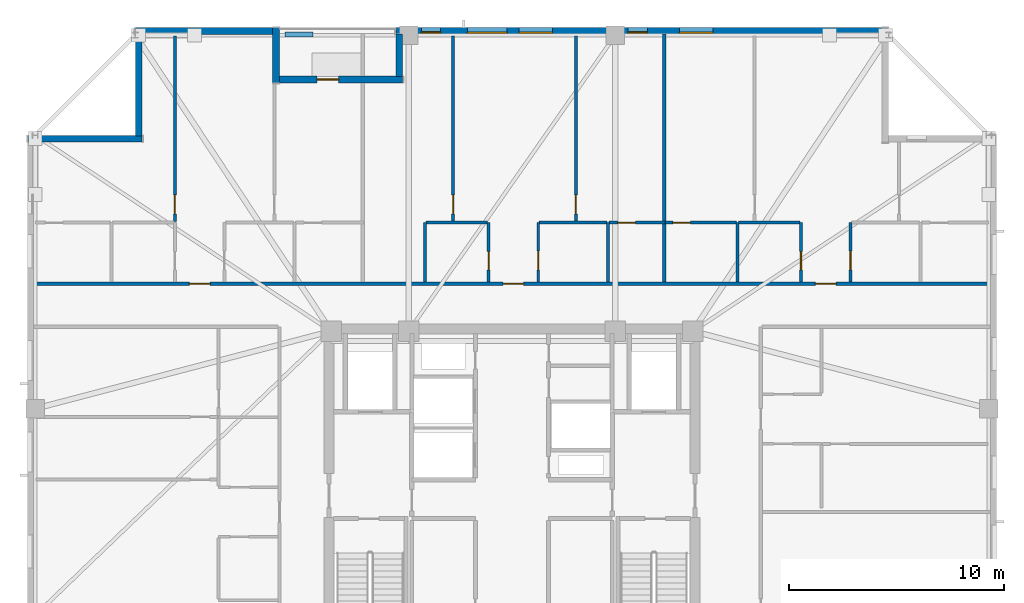
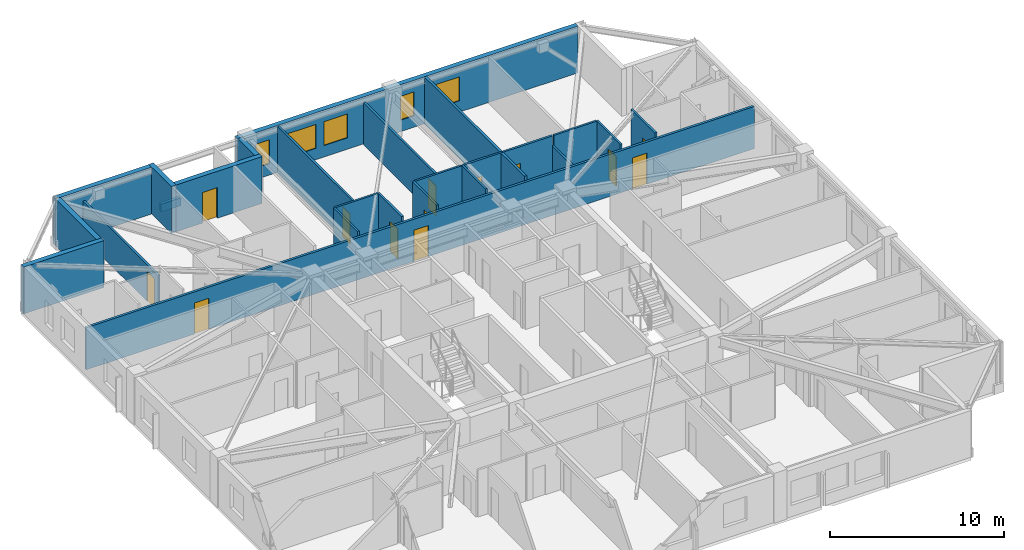
# One storey, part 11 of 17: 25 walls, 13 doors, 5 windows, 18 openings.
"""IFC4 building model written with IfcOpenShell, lengths in metres."""

from ifc_helpers import new_model, si_unit, direction, frame, frame_2d, origin, place, context, subcontext, project, spatial, rectangle, extrude, material, layer, layer_set, type_object, element, fill, save


model = new_model("IFC4")

# Units and contexts
model_context = context("Model", 3, precision=1e-05, world=origin(), true_north=direction((0.0, 1.0)))
body_context = subcontext(model_context, "Body", "Model", "MODEL_VIEW")
ifc_project = project(units=[si_unit("LENGTHUNIT", "METRE"), si_unit("AREAUNIT", "SQUARE_METRE"), si_unit("VOLUMEUNIT", "CUBIC_METRE"), si_unit("PLANEANGLEUNIT", "RADIAN"), si_unit("MASSUNIT", "GRAM", prefix="KILO")], contexts=[model_context])

# Site, building, storey
site_placement = place(None, origin())
site = spatial("IfcSite", under=ifc_project, at=site_placement, CompositionType="ELEMENT")
building_placement = place(site_placement, origin())
building = spatial("IfcBuilding", under=site, at=building_placement, Name="Cairnveth Concourse Tower", CompositionType="ELEMENT")
storey_placement = place(building_placement, frame((0.0, 0.0, 223.5)))
storey = spatial("IfcBuildingStorey", under=building, at=storey_placement, Name="L61", CompositionType="ELEMENT", Elevation=223.5)

# Wall, openings, doors
ifc_material_1 = material(Name="Gypsum Plasterboard Partition", Category="gypsum")
ifc_layer_1 = layer(ifc_material_1, 0.159912109375)
ifc_layer_set_1 = layer_set([ifc_layer_1], Name="Gypsum Plasterboard Partition")
wall_type_1 = type_object("IfcWallType", Name="ACOUSTIC PARTY WALL 180", PredefinedType="PARTITIONING", material=ifc_layer_set_1)
wall_1_placement = place(storey_placement, frame((29.804931640625, 49.612548828125, 0.0), z_axis=(0.0, 0.0, 1.0), x_axis=(1.0, 0.0, 0.0)))
wall_1 = element("IfcWall", 1, at=wall_1_placement, inside=storey, type_object=wall_type_1, Name="Interior Wall IW-L61-035", PredefinedType="PARTITIONING", context=body_context, shape_type="SweptSolid", body=[
    extrude(rectangle(XDim=44.39013671875, YDim=0.159912109375, at=frame_2d((22.195068359375, 0.0))), origin(), (0.0, 0.0, 1.0), 2.9580078125),
])
opening_1_placement = place(wall_1_placement, frame((7.206298828125, 0.0, 0.0)))
opening_1 = element("IfcOpeningElement", 2, at=opening_1_placement, cuts=wall_1, Name="Opening ID10", PredefinedType="OPENING", context=body_context, shape_type="SweptSolid", body=[
    extrude(rectangle(XDim=0.9599609375, YDim=2.179931640625, at=frame_2d((0.47998046875, 1.08984375))), frame((0.0, 0.08984375, 0.0), z_axis=(0.0, -1.0, 0.0), x_axis=(1.0, 0.0, 0.0)), (0.0, 0.0, 1.0), 0.179931640625),
])
opening_2_placement = place(wall_1_placement, frame((21.780029296875, 0.0, 0.0)))
opening_2 = element("IfcOpeningElement", 3, at=opening_2_placement, cuts=wall_1, Name="Opening ID10", PredefinedType="OPENING", context=body_context, shape_type="SweptSolid", body=[
    extrude(rectangle(XDim=0.9599609375, YDim=2.179931640625, at=frame_2d((0.47998046875, 1.08984375))), frame((0.0, 0.08984375, 0.0), z_axis=(0.0, -1.0, 0.0), x_axis=(1.0, 0.0, 0.0)), (0.0, 0.0, 1.0), 0.179931640625),
])
opening_3_placement = place(wall_1_placement, frame((36.288818359375, 0.0, 0.0)))
opening_3 = element("IfcOpeningElement", 4, at=opening_3_placement, cuts=wall_1, Name="Opening ID10", PredefinedType="OPENING", context=body_context, shape_type="SweptSolid", body=[
    extrude(rectangle(XDim=0.9599609375, YDim=2.179931640625, at=frame_2d((0.47998046875, 1.08984375))), frame((0.0, 0.08984375, 0.0), z_axis=(0.0, -1.0, 0.0), x_axis=(1.0, 0.0, 0.0)), (0.0, 0.0, 1.0), 0.179931640625),
])
ifc_material_2 = material(Name="Solid Core Hardwood Timber Leaf", Category="wood")
door_type_1 = type_object("IfcDoorType", Name="FLAT ENTRANCE DOOR 960X2150", OperationType="NOTDEFINED", PredefinedType="DOOR", material=ifc_material_2)
door_1_placement = place(opening_1_placement, origin())
door_1 = element("IfcDoor", 5, at=door_1_placement, inside=storey, type_object=door_type_1, Name="Apartment L61N1 Entrance Door", OperationType="SINGLE_SWING_LEFT", OverallHeight=2.179931640625, OverallWidth=0.9599609375, PredefinedType="DOOR", context=body_context, shape_type="SweptSolid", body=[
    extrude(rectangle(XDim=0.9599609375, YDim=2.179931640625, at=frame_2d((0.47998046875, 1.08984375))), frame((0.0, 0.02490234375, 0.0), z_axis=(0.0, -1.0, 0.0), x_axis=(1.0, 0.0, 0.0)), (0.0, 0.0, 1.0), 0.050048828125),
])
fill(opening_1, door_1)
door_2_placement = place(opening_2_placement, origin())
door_2 = element("IfcDoor", 6, at=door_2_placement, inside=storey, type_object=door_type_1, Name="Apartment L61N2 Entrance Door", OperationType="SINGLE_SWING_LEFT", OverallHeight=2.179931640625, OverallWidth=0.9599609375, PredefinedType="DOOR", context=body_context, shape_type="SweptSolid", body=[
    extrude(rectangle(XDim=0.9599609375, YDim=2.179931640625, at=frame_2d((0.47998046875, 1.08984375))), frame((0.0, 0.02490234375, 0.0), z_axis=(0.0, -1.0, 0.0), x_axis=(1.0, 0.0, 0.0)), (0.0, 0.0, 1.0), 0.050048828125),
])
fill(opening_2, door_2)
door_3_placement = place(opening_3_placement, origin())
door_3 = element("IfcDoor", 7, at=door_3_placement, inside=storey, type_object=door_type_1, Name="Apartment L61N3 Entrance Door", OperationType="SINGLE_SWING_RIGHT", OverallHeight=2.179931640625, OverallWidth=0.9599609375, PredefinedType="DOOR", context=body_context, shape_type="SweptSolid", body=[
    extrude(rectangle(XDim=0.9599609375, YDim=2.179931640625, at=frame_2d((0.47998046875, 1.08984375))), frame((0.0, 0.02490234375, 0.0), z_axis=(0.0, -1.0, 0.0), x_axis=(1.0, 0.0, 0.0)), (0.0, 0.0, 1.0), 0.050048828125),
])
fill(opening_3, door_3)

# Wall
wall_2_placement = place(storey_placement, frame((59.0673828125, 49.677490234375, 0.0), z_axis=(0.0, 0.0, 1.0), x_axis=(0.0, 1.0, 0.0)))
element("IfcWall", 8, at=wall_2_placement, inside=storey, type_object=wall_type_1, Name="Interior Wall IW-L61-085", PredefinedType="PARTITIONING", context=body_context, shape_type="SweptSolid", body=[
    extrude(rectangle(XDim=11.517578125, YDim=0.159912109375, at=frame_2d((5.7587890625, 0.0))), origin(), (0.0, 0.0, 1.0), 3.2900390625),
])

# Wall, opening, door
ifc_layer_2 = layer(ifc_material_1, 0.139892578125)
ifc_layer_set_2 = layer_set([ifc_layer_2], Name="Gypsum Plasterboard Partition")
wall_type_2 = type_object("IfcWallType", Name="GYPSUM STUD PARTITION 140", PredefinedType="PARTITIONING", material=ifc_layer_set_2)
wall_3_placement = place(storey_placement, frame((36.34130859375, 52.492431640625, 0.0), z_axis=(0.0, 0.0, 1.0), x_axis=(0.0, 1.0, 0.0)))
wall_3 = element("IfcWall", 9, at=wall_3_placement, inside=storey, type_object=wall_type_2, Name="Interior Wall IW-L61-071", PredefinedType="PARTITIONING", context=body_context, shape_type="SweptSolid", body=[
    extrude(rectangle(XDim=8.627685546875, YDim=0.139892578125, at=frame_2d((4.31396484375, 0.0))), origin(), (0.0, 0.0, 1.0), 2.572998046875),
])
opening_4_placement = place(wall_3_placement, frame((0.360107421875, 0.0, 0.0)))
opening_4 = element("IfcOpeningElement", 10, at=opening_4_placement, cuts=wall_3, Name="Opening ID18", PredefinedType="OPENING", context=body_context, shape_type="SweptSolid", body=[
    extrude(rectangle(XDim=0.8798828125, YDim=2.10009765625, at=frame_2d((0.43994140625, 1.050048828125))), frame((0.0, 0.079833984375, 0.0), z_axis=(0.0, -1.0, 0.0), x_axis=(1.0, 0.0, 0.0)), (0.0, 0.0, 1.0), 0.159912109375),
])
door_type_2 = type_object("IfcDoorType", Name="INTERIOR SINGLE DOOR 880X2100", OperationType="NOTDEFINED", PredefinedType="DOOR", material=ifc_material_2)
door_4_placement = place(opening_4_placement, origin())
door_4 = element("IfcDoor", 11, at=door_4_placement, inside=storey, type_object=door_type_2, Name="L61N1 Master Bedroom Door", OperationType="SINGLE_SWING_RIGHT", OverallHeight=2.10009765625, OverallWidth=0.8798828125, PredefinedType="DOOR", context=body_context, shape_type="SweptSolid", body=[
    extrude(rectangle(XDim=0.8798828125, YDim=2.10009765625, at=frame_2d((0.43994140625, 1.050048828125))), frame((0.0, 0.02490234375, 0.0), z_axis=(0.0, -1.0, 0.0), x_axis=(1.0, 0.0, 0.0)), (0.0, 0.0, 1.0), 0.050048828125),
])
fill(opening_4, door_4)

wall_4_placement = place(storey_placement, frame((49.262451171875, 52.492431640625, 0.0), z_axis=(0.0, 0.0, 1.0), x_axis=(0.0, 1.0, 0.0)))
wall_4 = element("IfcWall", 12, at=wall_4_placement, inside=storey, type_object=wall_type_2, Name="Interior Wall IW-L61-082", PredefinedType="PARTITIONING", context=body_context, shape_type="SweptSolid", body=[
    extrude(rectangle(XDim=8.627685546875, YDim=0.139892578125, at=frame_2d((4.31396484375, 0.0))), origin(), (0.0, 0.0, 1.0), 3.2900390625),
])
opening_5_placement = place(wall_4_placement, frame((0.360107421875, 0.0, 0.0)))
opening_5 = element("IfcOpeningElement", 13, at=opening_5_placement, cuts=wall_4, Name="Opening ID18", PredefinedType="OPENING", context=body_context, shape_type="SweptSolid", body=[
    extrude(rectangle(XDim=0.8798828125, YDim=2.10009765625, at=frame_2d((0.43994140625, 1.050048828125))), frame((0.0, 0.079833984375, 0.0), z_axis=(0.0, -1.0, 0.0), x_axis=(1.0, 0.0, 0.0)), (0.0, 0.0, 1.0), 0.159912109375),
])
door_5_placement = place(opening_5_placement, origin())
door_5 = element("IfcDoor", 14, at=door_5_placement, inside=storey, type_object=door_type_2, Name="L61N2 Master Bedroom Door", OperationType="SINGLE_SWING_RIGHT", OverallHeight=2.10009765625, OverallWidth=0.8798828125, PredefinedType="DOOR", context=body_context, shape_type="SweptSolid", body=[
    extrude(rectangle(XDim=0.8798828125, YDim=2.10009765625, at=frame_2d((0.43994140625, 1.050048828125))), frame((0.0, 0.02490234375, 0.0), z_axis=(0.0, -1.0, 0.0), x_axis=(1.0, 0.0, 0.0)), (0.0, 0.0, 1.0), 0.050048828125),
])
fill(opening_5, door_5)

wall_5_placement = place(storey_placement, frame((54.967529296875, 52.492431640625, 0.0), z_axis=(0.0, 0.0, 1.0), x_axis=(0.0, 1.0, 0.0)))
wall_5 = element("IfcWall", 15, at=wall_5_placement, inside=storey, type_object=wall_type_2, Name="Interior Wall IW-L61-083", PredefinedType="PARTITIONING", context=body_context, shape_type="SweptSolid", body=[
    extrude(rectangle(XDim=8.627685546875, YDim=0.139892578125, at=frame_2d((4.31396484375, 0.0))), origin(), (0.0, 0.0, 1.0), 2.9580078125),
])
opening_6_placement = place(wall_5_placement, frame((0.360107421875, 0.0, 0.0)))
opening_6 = element("IfcOpeningElement", 16, at=opening_6_placement, cuts=wall_5, Name="Opening ID18", PredefinedType="OPENING", context=body_context, shape_type="SweptSolid", body=[
    extrude(rectangle(XDim=0.8798828125, YDim=2.10009765625, at=frame_2d((0.43994140625, 1.050048828125))), frame((0.0, 0.079833984375, 0.0), z_axis=(0.0, -1.0, 0.0), x_axis=(1.0, 0.0, 0.0)), (0.0, 0.0, 1.0), 0.159912109375),
])
door_6_placement = place(opening_6_placement, origin())
door_6 = element("IfcDoor", 17, at=door_6_placement, inside=storey, type_object=door_type_2, Name="L61N2 Bedroom 2 Door", OperationType="SINGLE_SWING_RIGHT", OverallHeight=2.10009765625, OverallWidth=0.8798828125, PredefinedType="DOOR", context=body_context, shape_type="SweptSolid", body=[
    extrude(rectangle(XDim=0.8798828125, YDim=2.10009765625, at=frame_2d((0.43994140625, 1.050048828125))), frame((0.0, 0.02490234375, 0.0), z_axis=(0.0, -1.0, 0.0), x_axis=(1.0, 0.0, 0.0)), (0.0, 0.0, 1.0), 0.050048828125),
])
fill(opening_6, door_6)

wall_6_placement = place(storey_placement, frame((56.514892578125, 52.4423828125, 0.0), z_axis=(0.0, 0.0, 1.0), x_axis=(1.0, 0.0, 0.0)))
wall_6 = element("IfcWall", 18, at=wall_6_placement, inside=storey, type_object=wall_type_2, Name="Interior Wall IW-L61-084", PredefinedType="PARTITIONING", context=body_context, shape_type="SweptSolid", body=[
    extrude(rectangle(XDim=2.6025390625, YDim=0.139892578125, at=frame_2d((1.30126953125, 0.0))), origin(), (0.0, 0.0, 1.0), 3.2900390625),
])
opening_7_placement = place(wall_6_placement, frame((0.39990234375, 0.0, 0.0)))
opening_7 = element("IfcOpeningElement", 19, at=opening_7_placement, cuts=wall_6, Name="Opening ID22", PredefinedType="OPENING", context=body_context, shape_type="SweptSolid", body=[
    extrude(rectangle(XDim=0.820068359375, YDim=2.10009765625, at=frame_2d((0.41015625, 1.050048828125))), frame((0.0, 0.079833984375, 0.0), z_axis=(0.0, -1.0, 0.0), x_axis=(1.0, 0.0, 0.0)), (0.0, 0.0, 1.0), 0.159912109375),
])
door_type_3 = type_object("IfcDoorType", Name="INTERIOR WC DOOR 820X2100", OperationType="NOTDEFINED", PredefinedType="DOOR", material=ifc_material_2)
door_7_placement = place(opening_7_placement, origin())
door_7 = element("IfcDoor", 20, at=door_7_placement, inside=storey, type_object=door_type_3, Name="L61N2 Utility Door", OperationType="SINGLE_SWING_LEFT", OverallHeight=2.10009765625, OverallWidth=0.820068359375, PredefinedType="DOOR", context=body_context, shape_type="SweptSolid", body=[
    extrude(rectangle(XDim=0.820068359375, YDim=2.10009765625, at=frame_2d((0.41015625, 1.050048828125))), frame((0.0, 0.02490234375, 0.0), z_axis=(0.0, -1.0, 0.0), x_axis=(1.0, 0.0, 0.0)), (0.0, 0.0, 1.0), 0.050048828125),
])
fill(opening_7, door_7)

wall_7_placement = place(storey_placement, frame((59.132568359375, 52.4423828125, 0.0), z_axis=(0.0, 0.0, 1.0), x_axis=(1.0, 0.0, 0.0)))
wall_7 = element("IfcWall", 21, at=wall_7_placement, inside=storey, type_object=wall_type_2, Name="Interior Wall IW-L61-093", PredefinedType="PARTITIONING", context=body_context, shape_type="SweptSolid", body=[
    extrude(rectangle(XDim=3.291015625, YDim=0.139892578125, at=frame_2d((1.6455078125, 0.0))), origin(), (0.0, 0.0, 1.0), 3.2900390625),
])
opening_8_placement = place(wall_7_placement, frame((0.3349609375, 0.0, 0.0)))
opening_8 = element("IfcOpeningElement", 22, at=opening_8_placement, cuts=wall_7, Name="Opening ID22", PredefinedType="OPENING", context=body_context, shape_type="SweptSolid", body=[
    extrude(rectangle(XDim=0.820068359375, YDim=2.10009765625, at=frame_2d((0.41015625, 1.050048828125))), frame((0.0, 0.079833984375, 0.0), z_axis=(0.0, -1.0, 0.0), x_axis=(1.0, 0.0, 0.0)), (0.0, 0.0, 1.0), 0.159912109375),
])
door_8_placement = place(opening_8_placement, origin())
door_8 = element("IfcDoor", 23, at=door_8_placement, inside=storey, type_object=door_type_3, Name="L61N3 Dressing Door", OperationType="SINGLE_SWING_RIGHT", OverallHeight=2.10009765625, OverallWidth=0.820068359375, PredefinedType="DOOR", context=body_context, shape_type="SweptSolid", body=[
    extrude(rectangle(XDim=0.820068359375, YDim=2.10009765625, at=frame_2d((0.41015625, 1.050048828125))), frame((0.0, 0.02490234375, 0.0), z_axis=(0.0, -1.0, 0.0), x_axis=(1.0, 0.0, 0.0)), (0.0, 0.0, 1.0), 0.050048828125),
])
fill(opening_8, door_8)

# Walls
ifc_material_3 = material(Name="Dressed Melbourne Bluestone Cladding", Category="masonry")
ifc_layer_3 = layer(ifc_material_3, 0.219970703125)
ifc_layer_set_3 = layer_set([ifc_layer_3], Name="Dressed Melbourne Bluestone Cladding")
wall_type_3 = type_object("IfcWallType", Name="TERRACE PLANTER CURB WALL 220", PredefinedType="PARAPET", material=ifc_layer_set_3)
wall_8_placement = place(storey_placement, frame((41.449951171875, 61.179931640625, 0.0), z_axis=(0.0, 0.0, 1.0), x_axis=(1.0, 0.0, 0.0)))
element("IfcWall", 24, at=wall_8_placement, inside=storey, type_object=wall_type_3, Name="Exterior Wall PLNT-L61-TERR", PredefinedType="PARAPET", context=body_context, shape_type="SweptSolid", body=[
    extrude(rectangle(XDim=1.300048828125, YDim=0.219970703125, at=frame_2d((0.64990234375, 0.0))), origin(), (0.0, 0.0, 1.0), 0.550048828125),
])
ifc_layer_4 = layer(ifc_material_1, 0.1298828125)
ifc_layer_set_4 = layer_set([ifc_layer_4], Name="Gypsum Plasterboard Partition")
wall_type_4 = type_object("IfcWallType", Name="WET AREA PARTITION 140", PredefinedType="PLUMBINGWALL", material=ifc_layer_set_4)
wall_9_placement = place(storey_placement, frame((47.965087890625, 49.6923828125, 0.0), z_axis=(0.0, 0.0, 1.0), x_axis=(0.0, 1.0, 0.0)))
element("IfcWall", 25, at=wall_9_placement, inside=storey, type_object=wall_type_4, Name="Interior Wall IW-L61-076", PredefinedType="PLUMBINGWALL", context=body_context, shape_type="SweptSolid", body=[
    extrude(rectangle(XDim=2.75, YDim=0.1298828125, at=frame_2d((1.375, 0.0))), origin(), (0.0, 0.0, 1.0), 3.2900390625),
])

# Wall, opening, door
wall_10_placement = place(storey_placement, frame((50.9150390625, 49.6923828125, 0.0), z_axis=(0.0, 0.0, 1.0), x_axis=(0.0, 1.0, 0.0)))
wall_10 = element("IfcWall", 26, at=wall_10_placement, inside=storey, type_object=wall_type_4, Name="Interior Wall IW-L61-077", PredefinedType="PLUMBINGWALL", context=body_context, shape_type="SweptSolid", body=[
    extrude(rectangle(XDim=2.75, YDim=0.1298828125, at=frame_2d((1.375, 0.0))), origin(), (0.0, 0.0, 1.0), 3.2900390625),
])
opening_9_placement = place(wall_10_placement, frame((0.550048828125, 0.0, 0.0)))
opening_9 = element("IfcOpeningElement", 27, at=opening_9_placement, cuts=wall_10, Name="Opening ID21", PredefinedType="OPENING", context=body_context, shape_type="SweptSolid", body=[
    extrude(rectangle(XDim=0.85009765625, YDim=2.080078125, at=frame_2d((0.425048828125, 1.0400390625))), frame((0.0, 0.074951171875, 0.0), z_axis=(0.0, -1.0, 0.0), x_axis=(1.0, 0.0, 0.0)), (0.0, 0.0, 1.0), 0.14990234375),
])
door_type_4 = type_object("IfcDoorType", Name="INTERIOR WC DOOR 850X2100", OperationType="NOTDEFINED", PredefinedType="DOOR", material=ifc_material_2)
door_9_placement = place(opening_9_placement, origin())
door_9 = element("IfcDoor", 28, at=door_9_placement, inside=storey, type_object=door_type_4, Name="L61N2 Bathroom Door", OperationType="SINGLE_SWING_RIGHT", OverallHeight=2.080078125, OverallWidth=0.85009765625, PredefinedType="DOOR", context=body_context, shape_type="SweptSolid", body=[
    extrude(rectangle(XDim=0.85009765625, YDim=2.080078125, at=frame_2d((0.425048828125, 1.0400390625))), frame((0.0, 0.02490234375, 0.0), z_axis=(0.0, -1.0, 0.0), x_axis=(1.0, 0.0, 0.0)), (0.0, 0.0, 1.0), 0.050048828125),
])
fill(opening_9, door_9)

# Walls
wall_11_placement = place(storey_placement, frame((48.014892578125, 52.4423828125, 0.0), z_axis=(0.0, 0.0, 1.0), x_axis=(1.0, 0.0, 0.0)))
element("IfcWall", 29, at=wall_11_placement, inside=storey, type_object=wall_type_4, Name="Interior Wall IW-L61-078", PredefinedType="PLUMBINGWALL", context=body_context, shape_type="SweptSolid", body=[
    extrude(rectangle(XDim=2.85009765625, YDim=0.1298828125, at=frame_2d((1.425048828125, 0.0))), origin(), (0.0, 0.0, 1.0), 3.2900390625),
])
wall_12_placement = place(storey_placement, frame((56.465087890625, 49.6923828125, 0.0), z_axis=(0.0, 0.0, 1.0), x_axis=(0.0, 1.0, 0.0)))
element("IfcWall", 30, at=wall_12_placement, inside=storey, type_object=wall_type_4, Name="Interior Wall IW-L61-079", PredefinedType="PLUMBINGWALL", context=body_context, shape_type="SweptSolid", body=[
    extrude(rectangle(XDim=2.75, YDim=0.1298828125, at=frame_2d((1.375, 0.0))), origin(), (0.0, 0.0, 1.0), 3.2900390625),
])

# Wall, opening, door
wall_13_placement = place(storey_placement, frame((53.215087890625, 49.6923828125, 0.0), z_axis=(0.0, 0.0, 1.0), x_axis=(0.0, 1.0, 0.0)))
wall_13 = element("IfcWall", 31, at=wall_13_placement, inside=storey, type_object=wall_type_4, Name="Interior Wall IW-L61-080", PredefinedType="PLUMBINGWALL", context=body_context, shape_type="SweptSolid", body=[
    extrude(rectangle(XDim=2.75, YDim=0.1298828125, at=frame_2d((1.375, 0.0))), origin(), (0.0, 0.0, 1.0), 3.2900390625),
])
opening_10_placement = place(wall_13_placement, frame((0.550048828125, 0.0, 0.0)))
opening_10 = element("IfcOpeningElement", 32, at=opening_10_placement, cuts=wall_13, Name="Opening ID18", PredefinedType="OPENING", context=body_context, shape_type="SweptSolid", body=[
    extrude(rectangle(XDim=0.8798828125, YDim=2.10009765625, at=frame_2d((0.43994140625, 1.050048828125))), frame((0.0, 0.074951171875, 0.0), z_axis=(0.0, -1.0, 0.0), x_axis=(1.0, 0.0, 0.0)), (0.0, 0.0, 1.0), 0.14990234375),
])
door_10_placement = place(opening_10_placement, origin())
door_10 = element("IfcDoor", 33, at=door_10_placement, inside=storey, type_object=door_type_2, Name="L61N2 Kitchen Door", OperationType="SINGLE_SWING_LEFT", OverallHeight=2.10009765625, OverallWidth=0.8798828125, PredefinedType="DOOR", context=body_context, shape_type="SweptSolid", body=[
    extrude(rectangle(XDim=0.8798828125, YDim=2.10009765625, at=frame_2d((0.43994140625, 1.050048828125))), frame((0.0, 0.02490234375, 0.0), z_axis=(0.0, -1.0, 0.0), x_axis=(1.0, 0.0, 0.0)), (0.0, 0.0, 1.0), 0.050048828125),
])
fill(opening_10, door_10)

# Walls
wall_14_placement = place(storey_placement, frame((53.264892578125, 52.4423828125, 0.0), z_axis=(0.0, 0.0, 1.0), x_axis=(1.0, 0.0, 0.0)))
element("IfcWall", 34, at=wall_14_placement, inside=storey, type_object=wall_type_4, Name="Interior Wall IW-L61-081", PredefinedType="PLUMBINGWALL", context=body_context, shape_type="SweptSolid", body=[
    extrude(rectangle(XDim=3.150146484375, YDim=0.1298828125, at=frame_2d((1.5751953125, 0.0))), origin(), (0.0, 0.0, 1.0), 3.2900390625),
])
wall_15_placement = place(storey_placement, frame((62.4736328125, 49.6923828125, 0.0), z_axis=(0.0, 0.0, 1.0), x_axis=(0.0, 1.0, 0.0)))
element("IfcWall", 35, at=wall_15_placement, inside=storey, type_object=wall_type_4, Name="Interior Wall IW-L61-086", PredefinedType="PLUMBINGWALL", context=body_context, shape_type="SweptSolid", body=[
    extrude(rectangle(XDim=2.75, YDim=0.1298828125, at=frame_2d((1.375, 0.0))), origin(), (0.0, 0.0, 1.0), 2.572998046875),
])

# Wall, opening, door
wall_16_placement = place(storey_placement, frame((65.423583984375, 49.6923828125, 0.0), z_axis=(0.0, 0.0, 1.0), x_axis=(0.0, 1.0, 0.0)))
wall_16 = element("IfcWall", 36, at=wall_16_placement, inside=storey, type_object=wall_type_4, Name="Interior Wall IW-L61-087", PredefinedType="PLUMBINGWALL", context=body_context, shape_type="SweptSolid", body=[
    extrude(rectangle(XDim=2.75, YDim=0.1298828125, at=frame_2d((1.375, 0.0))), origin(), (0.0, 0.0, 1.0), 3.2900390625),
])
opening_11_placement = place(wall_16_placement, frame((0.550048828125, 0.0, 0.0)))
opening_11 = element("IfcOpeningElement", 37, at=opening_11_placement, cuts=wall_16, Name="Opening ID21", PredefinedType="OPENING", context=body_context, shape_type="SweptSolid", body=[
    extrude(rectangle(XDim=0.85009765625, YDim=2.080078125, at=frame_2d((0.425048828125, 1.0400390625))), frame((0.0, 0.074951171875, 0.0), z_axis=(0.0, -1.0, 0.0), x_axis=(1.0, 0.0, 0.0)), (0.0, 0.0, 1.0), 0.14990234375),
])
door_11_placement = place(opening_11_placement, origin())
door_11 = element("IfcDoor", 38, at=door_11_placement, inside=storey, type_object=door_type_4, Name="L61N3 Bathroom Door", OperationType="SINGLE_SWING_RIGHT", OverallHeight=2.080078125, OverallWidth=0.85009765625, PredefinedType="DOOR", context=body_context, shape_type="SweptSolid", body=[
    extrude(rectangle(XDim=0.85009765625, YDim=2.080078125, at=frame_2d((0.425048828125, 1.0400390625))), frame((0.0, 0.02490234375, 0.0), z_axis=(0.0, -1.0, 0.0), x_axis=(1.0, 0.0, 0.0)), (0.0, 0.0, 1.0), 0.050048828125),
])
fill(opening_11, door_11)

# Wall
wall_17_placement = place(storey_placement, frame((62.523681640625, 52.4423828125, 0.0), z_axis=(0.0, 0.0, 1.0), x_axis=(1.0, 0.0, 0.0)))
element("IfcWall", 39, at=wall_17_placement, inside=storey, type_object=wall_type_4, Name="Interior Wall IW-L61-088", PredefinedType="PLUMBINGWALL", context=body_context, shape_type="SweptSolid", body=[
    extrude(rectangle(XDim=2.85009765625, YDim=0.1298828125, at=frame_2d((1.425048828125, 0.0))), origin(), (0.0, 0.0, 1.0), 3.2900390625),
])

# Wall, opening, door
wall_18_placement = place(storey_placement, frame((67.723876953125, 49.6923828125, 0.0), z_axis=(0.0, 0.0, 1.0), x_axis=(0.0, 1.0, 0.0)))
wall_18 = element("IfcWall", 40, at=wall_18_placement, inside=storey, type_object=wall_type_4, Name="Interior Wall IW-L61-090", PredefinedType="PLUMBINGWALL", context=body_context, shape_type="SweptSolid", body=[
    extrude(rectangle(XDim=2.75, YDim=0.1298828125, at=frame_2d((1.375, 0.0))), origin(), (0.0, 0.0, 1.0), 3.2900390625),
])
opening_12_placement = place(wall_18_placement, frame((0.550048828125, 0.0, 0.0)))
opening_12 = element("IfcOpeningElement", 41, at=opening_12_placement, cuts=wall_18, Name="Opening ID18", PredefinedType="OPENING", context=body_context, shape_type="SweptSolid", body=[
    extrude(rectangle(XDim=0.8798828125, YDim=2.10009765625, at=frame_2d((0.43994140625, 1.050048828125))), frame((0.0, 0.074951171875, 0.0), z_axis=(0.0, -1.0, 0.0), x_axis=(1.0, 0.0, 0.0)), (0.0, 0.0, 1.0), 0.14990234375),
])
door_12_placement = place(opening_12_placement, origin())
door_12 = element("IfcDoor", 42, at=door_12_placement, inside=storey, type_object=door_type_2, Name="L61N3 Kitchen Door", OperationType="SINGLE_SWING_LEFT", OverallHeight=2.10009765625, OverallWidth=0.8798828125, PredefinedType="DOOR", context=body_context, shape_type="SweptSolid", body=[
    extrude(rectangle(XDim=0.8798828125, YDim=2.10009765625, at=frame_2d((0.43994140625, 1.050048828125))), frame((0.0, 0.02490234375, 0.0), z_axis=(0.0, -1.0, 0.0), x_axis=(1.0, 0.0, 0.0)), (0.0, 0.0, 1.0), 0.050048828125),
])
fill(opening_12, door_12)

# Wall, openings, windows
ifc_material_4 = material(Name="Melbourne Buff Fired Clay Brick Masonry", Category="masonry")
ifc_layer_5 = layer(ifc_material_4, 0.320068359375)
ifc_layer_set_5 = layer_set([ifc_layer_5], Name="Melbourne Buff Fired Clay Brick Masonry")
wall_type_5 = type_object("IfcWallType", Name="ZONE 3 BRICK PIER SPANDREL WALL 320", PredefinedType="SOLIDWALL", material=ifc_layer_set_5)
wall_19_placement = place(storey_placement, frame((46.60009765625, 61.340087890625, 0.0), z_axis=(0.0, 0.0, 1.0), x_axis=(1.0, 0.0, 0.0)))
wall_19 = element("IfcWall", 43, at=wall_19_placement, inside=storey, type_object=wall_type_5, Name="Exterior Wall EW-L61-S00", PredefinedType="SOLIDWALL", context=body_context, shape_type="SweptSolid", body=[
    extrude(rectangle(XDim=22.601806640625, YDim=0.320068359375, at=frame_2d((11.30078125, 0.0))), origin(), (0.0, 0.0, 1.0), 3.2900390625),
])
opening_13_placement = place(wall_19_placement, frame((3.3251953125, 0.0, 0.800048828125)))
opening_13 = element("IfcOpeningElement", 44, at=opening_13_placement, cuts=wall_19, Name="Opening W08", PredefinedType="OPENING", context=body_context, shape_type="SweptSolid", body=[
    extrude(rectangle(XDim=1.85009765625, YDim=1.677978515625, at=frame_2d((0.925048828125, 0.8388671875))), frame((0.0, 0.169921875, 0.0), z_axis=(0.0, -1.0, 0.0), x_axis=(1.0, 0.0, 0.0)), (0.0, 0.0, 1.0), 0.340087890625),
])
opening_14_placement = place(wall_19_placement, frame((5.7255859375, 0.0, 0.800048828125)))
opening_14 = element("IfcOpeningElement", 45, at=opening_14_placement, cuts=wall_19, Name="Opening W07", PredefinedType="OPENING", context=body_context, shape_type="SweptSolid", body=[
    extrude(rectangle(XDim=1.550048828125, YDim=1.677978515625, at=frame_2d((0.77490234375, 0.8388671875))), frame((0.0, 0.169921875, 0.0), z_axis=(0.0, -1.0, 0.0), x_axis=(1.0, 0.0, 0.0)), (0.0, 0.0, 1.0), 0.340087890625),
])
opening_15_placement = place(wall_19_placement, frame((13.176513671875, 0.0, 0.800048828125)))
opening_15 = element("IfcOpeningElement", 46, at=opening_15_placement, cuts=wall_19, Name="Opening W07", PredefinedType="OPENING", context=body_context, shape_type="SweptSolid", body=[
    extrude(rectangle(XDim=1.550048828125, YDim=1.677978515625, at=frame_2d((0.77490234375, 0.8388671875))), frame((0.0, 0.169921875, 0.0), z_axis=(0.0, -1.0, 0.0), x_axis=(1.0, 0.0, 0.0)), (0.0, 0.0, 1.0), 0.340087890625),
])
opening_16_placement = place(wall_19_placement, frame((1.18994140625, 0.0, 0.800048828125)))
opening_16 = element("IfcOpeningElement", 47, at=opening_16_placement, cuts=wall_19, Name="Opening W13", PredefinedType="OPENING", context=body_context, shape_type="SweptSolid", body=[
    extrude(rectangle(XDim=0.89990234375, YDim=1.677978515625, at=frame_2d((0.449951171875, 0.8388671875))), frame((0.0, 0.169921875, 0.0), z_axis=(0.0, -1.0, 0.0), x_axis=(1.0, 0.0, 0.0)), (0.0, 0.0, 1.0), 0.340087890625),
])
opening_17_placement = place(wall_19_placement, frame((10.7900390625, 0.0, 0.800048828125)))
opening_17 = element("IfcOpeningElement", 48, at=opening_17_placement, cuts=wall_19, Name="Opening W13", PredefinedType="OPENING", context=body_context, shape_type="SweptSolid", body=[
    extrude(rectangle(XDim=0.89990234375, YDim=1.677978515625, at=frame_2d((0.449951171875, 0.8388671875))), frame((0.0, 0.169921875, 0.0), z_axis=(0.0, -1.0, 0.0), x_axis=(1.0, 0.0, 0.0)), (0.0, 0.0, 1.0), 0.340087890625),
])
ifc_material_5 = material(Name="Double Glazed Low-E Clear Glass", Category="glass")
window_type_1 = type_object("IfcWindowType", Name="DEEP-SET APARTMENT LIVING WINDOW 1850X1850", PartitioningType="DOUBLE_PANEL_VERTICAL", PredefinedType="WINDOW", material=ifc_material_5)
window_1_placement = place(opening_13_placement, origin())
window_1 = element("IfcWindow", 49, at=window_1_placement, inside=storey, type_object=window_type_1, Name="Gothic Lancet Window L61-0-1", OverallHeight=1.677978515625, OverallWidth=1.85009765625, PartitioningType="SINGLE_PANEL", PredefinedType="WINDOW", context=body_context, shape_type="SweptSolid", body=[
    extrude(rectangle(XDim=1.85009765625, YDim=1.677978515625, at=frame_2d((0.925048828125, 0.8388671875))), frame((0.0, -0.050048828125, 0.0), z_axis=(0.0, -1.0, 0.0), x_axis=(1.0, 0.0, 0.0)), (0.0, 0.0, 1.0), 0.06005859375),
])
fill(opening_13, window_1)
window_type_2 = type_object("IfcWindowType", Name="DEEP-SET APARTMENT WINDOW 1550X1800", PartitioningType="DOUBLE_PANEL_VERTICAL", PredefinedType="WINDOW", material=ifc_material_5)
window_2_placement = place(opening_14_placement, origin())
window_2 = element("IfcWindow", 50, at=window_2_placement, inside=storey, type_object=window_type_2, Name="Gothic Lancet Window L61-0-2", OverallHeight=1.677978515625, OverallWidth=1.550048828125, PartitioningType="SINGLE_PANEL", PredefinedType="WINDOW", context=body_context, shape_type="SweptSolid", body=[
    extrude(rectangle(XDim=1.550048828125, YDim=1.677978515625, at=frame_2d((0.77490234375, 0.8388671875))), frame((0.0, -0.050048828125, 0.0), z_axis=(0.0, -1.0, 0.0), x_axis=(1.0, 0.0, 0.0)), (0.0, 0.0, 1.0), 0.06005859375),
])
fill(opening_14, window_2)
window_3_placement = place(opening_15_placement, origin())
window_3 = element("IfcWindow", 51, at=window_3_placement, inside=storey, type_object=window_type_2, Name="Gothic Lancet Window L61-0-4", OverallHeight=1.677978515625, OverallWidth=1.550048828125, PartitioningType="SINGLE_PANEL", PredefinedType="WINDOW", context=body_context, shape_type="SweptSolid", body=[
    extrude(rectangle(XDim=1.550048828125, YDim=1.677978515625, at=frame_2d((0.77490234375, 0.8388671875))), frame((0.0, -0.050048828125, 0.0), z_axis=(0.0, -1.0, 0.0), x_axis=(1.0, 0.0, 0.0)), (0.0, 0.0, 1.0), 0.06005859375),
])
fill(opening_15, window_3)
window_type_3 = type_object("IfcWindowType", Name="DEEP-SET BEDROOM LANCET WINDOW 900X1750", PartitioningType="DOUBLE_PANEL_VERTICAL", PredefinedType="WINDOW", material=ifc_material_5)
window_4_placement = place(opening_16_placement, origin())
window_4 = element("IfcWindow", 52, at=window_4_placement, inside=storey, type_object=window_type_3, Name="Dwelling Lancet Window L61-DW4", OverallHeight=1.677978515625, OverallWidth=0.89990234375, PartitioningType="SINGLE_PANEL", PredefinedType="WINDOW", context=body_context, shape_type="SweptSolid", body=[
    extrude(rectangle(XDim=0.89990234375, YDim=1.677978515625, at=frame_2d((0.449951171875, 0.8388671875))), frame((0.0, -0.0400390625, 0.0), z_axis=(0.0, -1.0, 0.0), x_axis=(1.0, 0.0, 0.0)), (0.0, 0.0, 1.0), 0.06005859375),
])
fill(opening_16, window_4)
window_5_placement = place(opening_17_placement, origin())
window_5 = element("IfcWindow", 53, at=window_5_placement, inside=storey, type_object=window_type_3, Name="Dwelling Lancet Window L61-DW5", OverallHeight=1.677978515625, OverallWidth=0.89990234375, PartitioningType="SINGLE_PANEL", PredefinedType="WINDOW", context=body_context, shape_type="SweptSolid", body=[
    extrude(rectangle(XDim=0.89990234375, YDim=1.677978515625, at=frame_2d((0.449951171875, 0.8388671875))), frame((0.0, -0.0400390625, 0.0), z_axis=(0.0, -1.0, 0.0), x_axis=(1.0, 0.0, 0.0)), (0.0, 0.0, 1.0), 0.06005859375),
])
fill(opening_17, window_5)

# Walls
wall_20_placement = place(storey_placement, frame((29.5, 56.340087890625, 0.0), z_axis=(0.0, 0.0, 1.0), x_axis=(1.0, 0.0, 0.0)))
element("IfcWall", 54, at=wall_20_placement, inside=storey, type_object=wall_type_5, Name="Exterior Wall EW-L61-S10", PredefinedType="SOLIDWALL", context=body_context, shape_type="SweptSolid", body=[
    extrude(rectangle(XDim=5.320068359375, YDim=0.320068359375, at=frame_2d((2.66015625, 0.0))), origin(), (0.0, 0.0, 1.0), 3.2900390625),
])
wall_21_placement = place(storey_placement, frame((34.659912109375, 56.47802734375, 0.0), z_axis=(0.0, 0.0, 1.0), x_axis=(0.0, 1.0, 0.0)))
element("IfcWall", 55, at=wall_21_placement, inside=storey, type_object=wall_type_5, Name="Exterior Wall EW-L61-S11", PredefinedType="SOLIDWALL", context=body_context, shape_type="SweptSolid", body=[
    extrude(rectangle(XDim=4.723876953125, YDim=0.320068359375, at=frame_2d((2.36181640625, 0.0))), origin(), (0.0, 0.0, 1.0), 3.2900390625),
])
wall_22_placement = place(storey_placement, frame((34.5, 61.340087890625, 0.0), z_axis=(0.0, 0.0, 1.0), x_axis=(1.0, 0.0, 0.0)))
element("IfcWall", 56, at=wall_22_placement, inside=storey, type_object=wall_type_5, Name="Exterior Wall EW-L61-S12", PredefinedType="SOLIDWALL", context=body_context, shape_type="SweptSolid", body=[
    extrude(rectangle(XDim=6.402099609375, YDim=0.320068359375, at=frame_2d((3.201171875, 0.0))), origin(), (0.0, 0.0, 1.0), 3.2900390625),
])
wall_23_placement = place(storey_placement, frame((41.0400390625, 61.5, 0.0), z_axis=(0.0, 0.0, 1.0), x_axis=(0.0, -1.0, 0.0)))
element("IfcWall", 57, at=wall_23_placement, inside=storey, type_object=wall_type_5, Name="Exterior Wall EW-L61-S13", PredefinedType="SOLIDWALL", context=body_context, shape_type="SweptSolid", body=[
    extrude(rectangle(XDim=2.570068359375, YDim=0.320068359375, at=frame_2d((1.28515625, 0.0))), origin(), (0.0, 0.0, 1.0), 3.2900390625),
])

# Wall, opening, door
wall_24_placement = place(storey_placement, frame((41.177978515625, 59.090087890625, 0.0), z_axis=(0.0, 0.0, 1.0), x_axis=(1.0, 0.0, 0.0)))
wall_24 = element("IfcWall", 58, at=wall_24_placement, inside=storey, type_object=wall_type_5, Name="Exterior Wall EW-L61-S14", PredefinedType="SOLIDWALL", context=body_context, shape_type="SweptSolid", body=[
    extrude(rectangle(XDim=5.741943359375, YDim=0.320068359375, at=frame_2d((2.87109375, 0.0))), origin(), (0.0, 0.0, 1.0), 3.2900390625),
])
opening_18_placement = place(wall_24_placement, frame((1.767333984375, 0.0, 0.0)))
opening_18 = element("IfcOpeningElement", 59, at=opening_18_placement, cuts=wall_24, Name="Opening ED4", PredefinedType="OPENING", context=body_context, shape_type="SweptSolid", body=[
    extrude(rectangle(XDim=1.0, YDim=2.14990234375, at=frame_2d((0.5, 1.074951171875))), frame((0.0, 0.169921875, 0.0), z_axis=(0.0, -1.0, 0.0), x_axis=(1.0, 0.0, 0.0)), (0.0, 0.0, 1.0), 0.340087890625),
])
ifc_material_6 = material(Name="Architectural Bronze Anodised Aluminium 6063-T6", Category="aluminium")
door_type_5 = type_object("IfcDoorType", Name="TERRACE GLAZED DOOR 1000X2150", OperationType="NOTDEFINED", PredefinedType="DOOR", material=ifc_material_6)
door_13_placement = place(opening_18_placement, origin())
door_13 = element("IfcDoor", 60, at=door_13_placement, inside=storey, type_object=door_type_5, Name="Spiral Terrace Door L61", OperationType="SINGLE_SWING_RIGHT", OverallHeight=2.14990234375, OverallWidth=1.0, PredefinedType="DOOR", context=body_context, shape_type="SweptSolid", body=[
    extrude(rectangle(XDim=1.0, YDim=2.14990234375, at=frame_2d((0.5, 1.074951171875))), frame((0.0, 0.02490234375, 0.0), z_axis=(0.0, -1.0, 0.0), x_axis=(1.0, 0.0, 0.0)), (0.0, 0.0, 1.0), 0.050048828125),
])
fill(opening_18, door_13)

# Wall
wall_25_placement = place(storey_placement, frame((46.760009765625, 59.22802734375, 0.0), z_axis=(0.0, 0.0, 1.0), x_axis=(0.0, 1.0, 0.0)))
element("IfcWall", 61, at=wall_25_placement, inside=storey, type_object=wall_type_5, Name="Exterior Wall EW-L61-S15", PredefinedType="SOLIDWALL", context=body_context, shape_type="SweptSolid", body=[
    extrude(rectangle(XDim=1.973876953125, YDim=0.320068359375, at=frame_2d((0.98681640625, 0.0))), origin(), (0.0, 0.0, 1.0), 3.2900390625),
])

save(model, "model.ifc")
